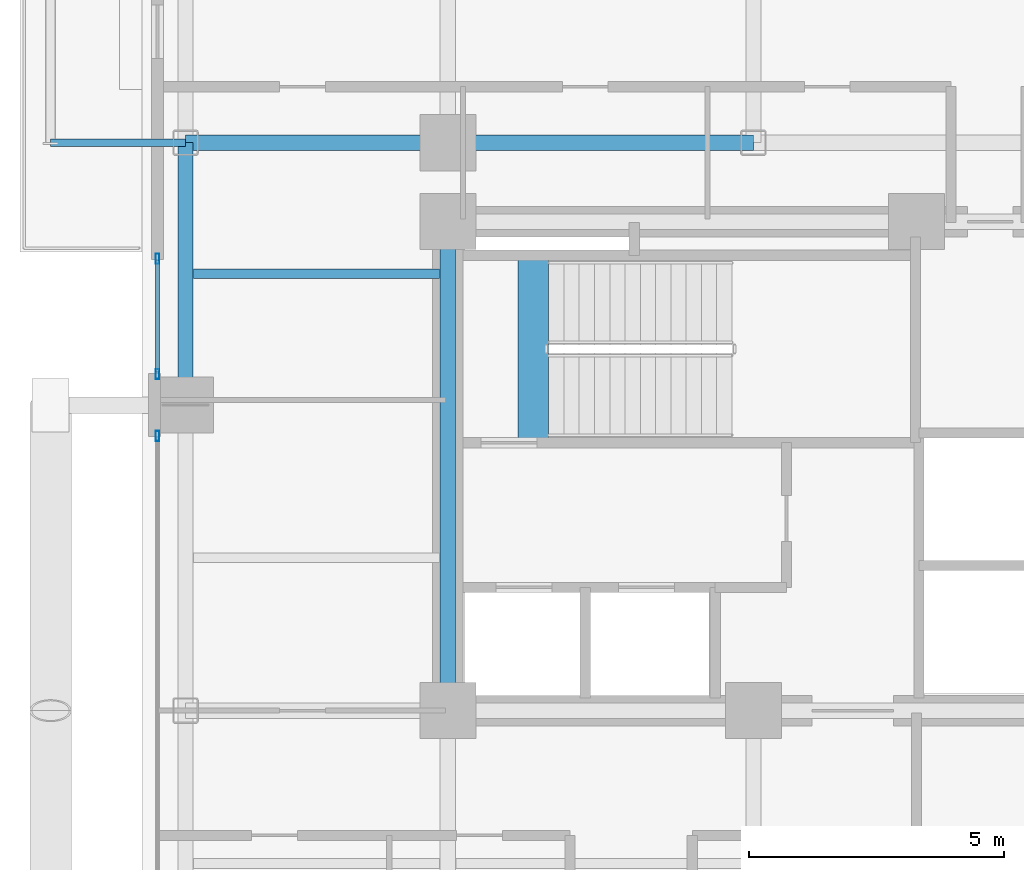
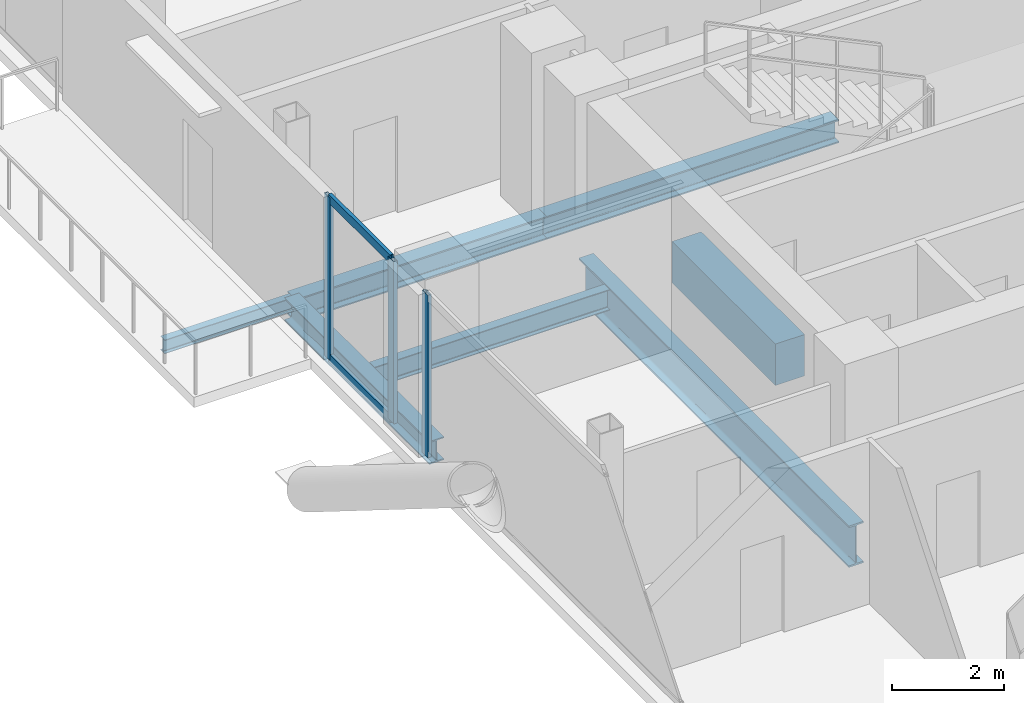
# One storey, part 7 of 28: 7 beams, 5 members, 2 elements without a shape of their own.
"""IFC4 building model written with IfcOpenShell, lengths in metres."""

from ifc_helpers import new_model, si_unit, direction, frame, origin, origin_2d, place, context, subcontext, project, spatial, rectangle, hollow_rectangle, i_section, extrude, material, layer, layer_set, material_profile, profile_set, type_object, element, aggregate, save


model = new_model("IFC4")

# Units and contexts
model_context = context("Model", 3, precision=1e-05, world=origin(), true_north=direction((0.0, 1.0)))
body_context = subcontext(model_context, "Body", "Model", "MODEL_VIEW")
ifc_project = project(units=[si_unit("LENGTHUNIT", "METRE"), si_unit("AREAUNIT", "SQUARE_METRE"), si_unit("VOLUMEUNIT", "CUBIC_METRE"), si_unit("PLANEANGLEUNIT", "RADIAN"), si_unit("MASSUNIT", "GRAM", prefix="KILO"), si_unit("THERMODYNAMICTEMPERATUREUNIT", "KELVIN"), si_unit("POWERUNIT", "WATT")], contexts=[model_context])

# Site, building, storey
site_placement = place(None, origin())
site = spatial("IfcSite", under=ifc_project, at=site_placement, CompositionType="ELEMENT")
building_placement = place(site_placement, origin())
building = spatial("IfcBuilding", under=site, at=building_placement, Name="Svarakhadi Broadcast Tower", CompositionType="ELEMENT")
storey_placement = place(building_placement, frame((0.0, 0.0, 138.14990234375)))
storey = spatial("IfcBuildingStorey", under=building, at=storey_placement, Name="L33", CompositionType="ELEMENT", Elevation=138.14990234375)

# Beam
ifc_material_1 = material(Name="Steel S355J2 (IS 2062 E350C)", Category="steel")
ifc_material_profile_1 = material_profile(ifc_material_1, i_section(OverallWidth=0.18994140625, OverallDepth=0.449951171875, WebThickness=0.009521484375, FlangeThickness=0.0146484375, FilletRadius=0.02099609375, at=origin_2d()), Name="NPB 450x190x78")
ifc_profile_set_1 = profile_set([ifc_material_profile_1], Name="Steel S355J2 (IS 2062 E350C)")
beam_type_1 = type_object("IfcBeamType", Name="Beam_NPB450", PredefinedType="BEAM", material=ifc_profile_set_1)
beam_1_placement = place(storey_placement, frame((1.010009765625, 26.574951171875, -0.449951171875), z_axis=(1.0, 0.0, 0.0), x_axis=(0.0, 1.0, 0.0)))
element("IfcBeam", 1, at=beam_1_placement, inside=storey, type_object=beam_type_1, Name="L33 Secondary Composite Beam SB004", PredefinedType="BEAM", context=body_context, shape_type="SweptSolid", body=[
    extrude(i_section(OverallWidth=0.18994140625, OverallDepth=0.449951171875, WebThickness=0.009521484375, FlangeThickness=0.0146484375, FilletRadius=0.02099609375, at=origin_2d()), origin(), (0.0, 0.0, 1.0), 4.830078125),
])

# Curtain wall, member
ifc_material_2 = material(Name="Anodised Bronze Aluminium AA 6063-T6", Category="aluminium")
ifc_layer = layer(ifc_material_2, 0.199951171875)
ifc_layer_set = layer_set([ifc_layer], Name="Anodised Bronze Aluminium AA 6063-T6")
curtain_wall_type = type_object("IfcCurtainWallType", Name="CW_Sys_03", PredefinedType="NOTDEFINED", material=ifc_layer_set)
curtain_wall_1_placement = place(storey_placement, origin())
curtain_wall_1 = element("IfcCurtainWall", 2, at=curtain_wall_1_placement, inside=storey, type_object=curtain_wall_type, Name="L33 West Curtain Wall 02 Bay 2", PredefinedType="NOTDEFINED")
ifc_material_profile_2 = material_profile(ifc_material_2, hollow_rectangle(XDim=0.074951171875, YDim=0.199951171875, WallThickness=0.005615234375, at=origin_2d()), Name="ALU MULLION 200x75x6")
ifc_profile_set_2 = profile_set([ifc_material_profile_2], Name="Anodised Bronze Aluminium AA 6063-T6")
member_type_1 = type_object("IfcMemberType", Name="CW_Sys_03_Mul", PredefinedType="MULLION", material=ifc_profile_set_2)
member_1_placement = place(storey_placement, frame((0.300048828125, 23.392578125, 0.0), z_axis=(0.0, 0.0, 1.0), x_axis=(-1.0, 0.0, 0.0)))
member_1 = element("IfcMember", 3, at=member_1_placement, type_object=member_type_1, Name="CW-03 mullion 2", PredefinedType="MULLION", context=body_context, shape_type="SweptSolid", body=[
    extrude(hollow_rectangle(XDim=0.074951171875, YDim=0.199951171875, WallThickness=0.005615234375, at=origin_2d()), origin(), (0.0, 0.0, 1.0), 3.525146484375),
])
aggregate(curtain_wall_1, [member_1])

# Curtain wall, members
curtain_wall_2_placement = place(storey_placement, origin())
curtain_wall_2 = element("IfcCurtainWall", 4, at=curtain_wall_2_placement, inside=storey, type_object=curtain_wall_type, Name="L33 West Curtain Wall 02 Bay 3", PredefinedType="NOTDEFINED")
member_2_placement = place(storey_placement, frame((0.300048828125, 24.607421875, 0.0), z_axis=(0.0, 0.0, 1.0), x_axis=(-1.0, 0.0, 0.0)))
member_2 = element("IfcMember", 5, at=member_2_placement, type_object=member_type_1, Name="CW-03 mullion 1", PredefinedType="MULLION", context=body_context, shape_type="SweptSolid", body=[
    extrude(hollow_rectangle(XDim=0.074951171875, YDim=0.199951171875, WallThickness=0.005615234375, at=origin_2d()), origin(), (0.0, 0.0, 1.0), 3.525146484375),
])
member_3_placement = place(storey_placement, frame((0.300048828125, 26.87255859375, 0.0), z_axis=(0.0, 0.0, 1.0), x_axis=(-1.0, 0.0, 0.0)))
member_3 = element("IfcMember", 6, at=member_3_placement, type_object=member_type_1, Name="CW-03 mullion 2", PredefinedType="MULLION", context=body_context, shape_type="SweptSolid", body=[
    extrude(hollow_rectangle(XDim=0.074951171875, YDim=0.199951171875, WallThickness=0.005615234375, at=origin_2d()), origin(), (0.0, 0.0, 1.0), 3.525146484375),
])
ifc_material_profile_3 = material_profile(ifc_material_2, hollow_rectangle(XDim=0.070068359375, YDim=0.18505859375, WallThickness=0.0048828125, at=origin_2d()), Name="ALU TRANSOM 185x70x5")
ifc_profile_set_3 = profile_set([ifc_material_profile_3], Name="Anodised Bronze Aluminium AA 6063-T6")
member_type_2 = type_object("IfcMemberType", Name="CW_Sys_03_Trn", PredefinedType="USERDEFINED", material=ifc_profile_set_3)
member_4_placement = place(storey_placement, frame((0.300048828125, 24.64501953125, 0.03515625), z_axis=(0.0, 1.0, 0.0), x_axis=(-1.0, 0.0, 0.0)))
member_4 = element("IfcMember", 7, at=member_4_placement, type_object=member_type_2, Name="CW-03 transom 1.1", ObjectType="TRANSOM", PredefinedType="USERDEFINED", context=body_context, shape_type="SweptSolid", body=[
    extrude(hollow_rectangle(XDim=0.070068359375, YDim=0.18505859375, WallThickness=0.0048828125, at=origin_2d()), origin(), (0.0, 0.0, 1.0), 2.18994140625),
])
member_5_placement = place(storey_placement, frame((0.300048828125, 24.64501953125, 3.489990234375), z_axis=(0.0, 1.0, 0.0), x_axis=(-1.0, 0.0, 0.0)))
member_5 = element("IfcMember", 8, at=member_5_placement, type_object=member_type_2, Name="CW-03 transom 1.2", ObjectType="TRANSOM", PredefinedType="USERDEFINED", context=body_context, shape_type="SweptSolid", body=[
    extrude(hollow_rectangle(XDim=0.070068359375, YDim=0.18505859375, WallThickness=0.0048828125, at=origin_2d()), origin(), (0.0, 0.0, 1.0), 2.18994140625),
])
aggregate(curtain_wall_2, [member_2, member_3, member_4, member_5])

# Beams
ifc_material_3 = material(Name="Concrete C50/60 (IS 456 M60)", Category="concrete")
ifc_material_profile_4 = material_profile(ifc_material_3, rectangle(XDim=0.60009765625, YDim=0.89990234375, at=origin_2d()), Name="RC 600x900")
ifc_profile_set_4 = profile_set([ifc_material_profile_4], Name="Concrete C50/60 (IS 456 M60)")
beam_type_2 = type_object("IfcBeamType", Name="Coupling_RC600", PredefinedType="USERDEFINED", material=ifc_profile_set_4)
beam_2_placement = place(storey_placement, frame((7.679931640625, 23.260009765625, -0.449951171875), z_axis=(0.0, 1.0, 0.0), x_axis=(-1.0, 0.0, 0.0)))
element("IfcBeam", 9, at=beam_2_placement, inside=storey, type_object=beam_type_2, Name="L33 Stair ST-01 Landing Throat Trimmer Beam CB-01", ObjectType="GIRDER", PredefinedType="USERDEFINED", context=body_context, shape_type="SweptSolid", body=[
    extrude(rectangle(XDim=0.60009765625, YDim=0.89990234375, at=origin_2d()), origin(), (0.0, 0.0, 1.0), 3.679931640625),
])
ifc_material_profile_5 = material_profile(ifc_material_1, i_section(OverallWidth=0.300048828125, OverallDepth=0.5, WebThickness=0.014404296875, FlangeThickness=0.028076171875, FilletRadius=0.027099609375, at=origin_2d()), Name="WPB 500x300x187")
ifc_profile_set_5 = profile_set([ifc_material_profile_5], Name="Steel S355J2 (IS 2062 E350C)")
beam_type_3 = type_object("IfcBeamType", Name="Girder_WPB500", PredefinedType="USERDEFINED", material=ifc_profile_set_5)
beam_3_placement = place(storey_placement, frame((0.85009765625, 29.14990234375, -0.474853515625), z_axis=(1.0, 0.0, 0.0), x_axis=(0.0, 1.0, 0.0)))
element("IfcBeam", 10, at=beam_3_placement, inside=storey, type_object=beam_type_3, Name="L33 Primary E-W Girder G032", ObjectType="GIRDER", PredefinedType="USERDEFINED", context=body_context, shape_type="SweptSolid", body=[
    extrude(i_section(OverallWidth=0.300048828125, OverallDepth=0.5, WebThickness=0.014404296875, FlangeThickness=0.028076171875, FilletRadius=0.027099609375, at=origin_2d()), origin(), (0.0, 0.0, 1.0), 5.14990234375),
])
beam_4_placement = place(storey_placement, frame((6.0, 29.14990234375, -0.474853515625), z_axis=(1.0, 0.0, 0.0), x_axis=(0.0, 1.0, 0.0)))
element("IfcBeam", 11, at=beam_4_placement, inside=storey, type_object=beam_type_3, Name="L33 Primary E-W Girder G033", ObjectType="GIRDER", PredefinedType="USERDEFINED", context=body_context, shape_type="SweptSolid", body=[
    extrude(i_section(OverallWidth=0.300048828125, OverallDepth=0.5, WebThickness=0.014404296875, FlangeThickness=0.028076171875, FilletRadius=0.027099609375, at=origin_2d()), origin(), (0.0, 0.0, 1.0), 6.0),
])
beam_5_placement = place(storey_placement, frame((0.85009765625, 24.0, -0.474853515625), z_axis=(0.0, 1.0, 0.0), x_axis=(-1.0, 0.0, 0.0)))
element("IfcBeam", 12, at=beam_5_placement, inside=storey, type_object=beam_type_3, Name="L33 Primary N-S Girder G043", ObjectType="GIRDER", PredefinedType="USERDEFINED", context=body_context, shape_type="SweptSolid", body=[
    extrude(i_section(OverallWidth=0.300048828125, OverallDepth=0.5, WebThickness=0.014404296875, FlangeThickness=0.028076171875, FilletRadius=0.027099609375, at=origin_2d()), origin(), (0.0, 0.0, 1.0), 5.14990234375),
])
ifc_material_4 = material(Name="Steel S460ML (IS 2062 E450BR)", Category="steel")
ifc_material_profile_6 = material_profile(ifc_material_4, i_section(OverallWidth=0.300048828125, OverallDepth=0.89990234375, WebThickness=0.0185546875, FlangeThickness=0.034912109375, FilletRadius=0.030029296875, at=origin_2d()), Name="WPB 900x300x291")
ifc_profile_set_6 = profile_set([ifc_material_profile_6], Name="Steel S460ML (IS 2062 E450BR)")
beam_type_4 = type_object("IfcBeamType", Name="Girder_WPB900", PredefinedType="USERDEFINED", material=ifc_profile_set_6)
beam_6_placement = place(storey_placement, frame((6.0, 18.0, -0.6748046875), z_axis=(0.0, 1.0, 0.0), x_axis=(-1.0, 0.0, 0.0)))
element("IfcBeam", 13, at=beam_6_placement, inside=storey, type_object=beam_type_4, Name="L33 Primary N-S Girder G048", ObjectType="GIRDER", PredefinedType="USERDEFINED", context=body_context, shape_type="SweptSolid", body=[
    extrude(i_section(OverallWidth=0.300048828125, OverallDepth=0.89990234375, WebThickness=0.0185546875, FlangeThickness=0.034912109375, FilletRadius=0.030029296875, at=origin_2d()), origin(), (0.0, 0.0, 1.0), 9.60009765625),
])
ifc_material_profile_7 = material_profile(ifc_material_1, i_section(OverallWidth=0.14990234375, OverallDepth=0.300048828125, WebThickness=0.007080078125, FlangeThickness=0.0107421875, FilletRadius=0.014892578125, at=origin_2d()), Name="NPB 300x150x37")
ifc_profile_set_7 = profile_set([ifc_material_profile_7], Name="Steel S355J2 (IS 2062 E350C)")
beam_type_5 = type_object("IfcBeamType", Name="Spandrel_NPB300", PredefinedType="SPANDREL", material=ifc_profile_set_7)
beam_7_placement = place(storey_placement, frame((0.85009765625, 29.14990234375, -0.375), z_axis=(-1.0, 0.0, 0.0), x_axis=(0.0, -1.0, 0.0)))
element("IfcBeam", 14, at=beam_7_placement, inside=storey, type_object=beam_type_5, Name="L33 Balcony Cantilever Bracket 2A", PredefinedType="SPANDREL", context=body_context, shape_type="SweptSolid", body=[
    extrude(i_section(OverallWidth=0.14990234375, OverallDepth=0.300048828125, WebThickness=0.007080078125, FlangeThickness=0.0107421875, FilletRadius=0.014892578125, at=origin_2d()), origin(), (0.0, 0.0, 1.0), 2.650146484375),
])

save(model, "model.ifc")
